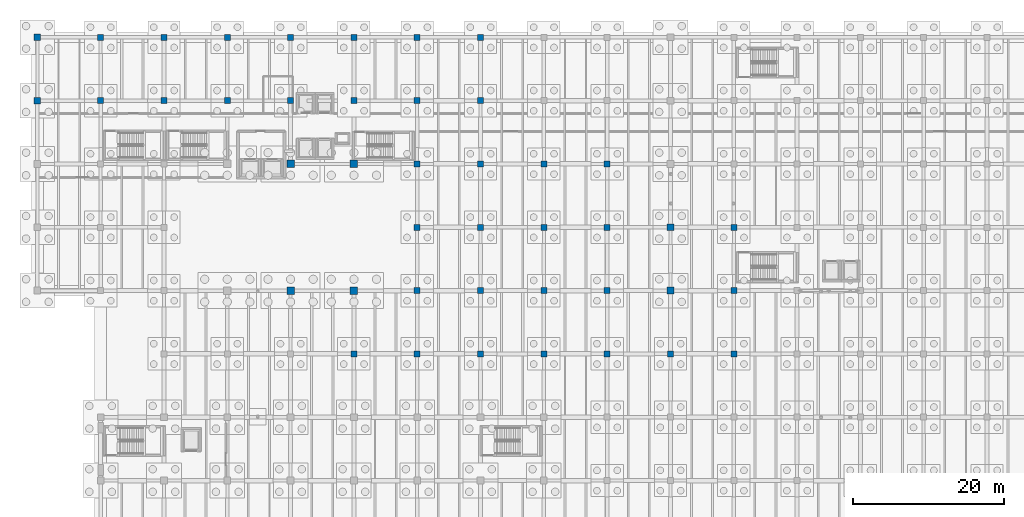
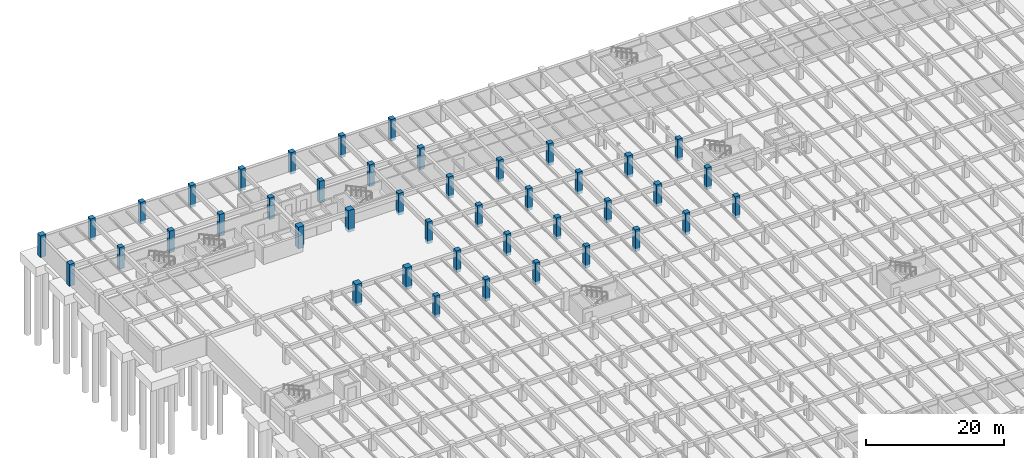
# One storey, part 19 of 70: 43 columns.
"""IFC4 building model written with IfcOpenShell, lengths in metres."""

from ifc_helpers import new_model, si_unit, direction, frame, origin, origin_2d, place, context, subcontext, project, spatial, rectangle, extrude, material, material_profile, profile_set, type_object, element, save


model = new_model("IFC4")

# Units and contexts
model_context = context("Model", 3, precision=1e-05, world=origin(), true_north=direction((0.0, 1.0)))
body_context = subcontext(model_context, "Body", "Model", "MODEL_VIEW")
ifc_project = project(units=[si_unit("LENGTHUNIT", "METRE"), si_unit("AREAUNIT", "SQUARE_METRE"), si_unit("VOLUMEUNIT", "CUBIC_METRE"), si_unit("PLANEANGLEUNIT", "RADIAN"), si_unit("MASSUNIT", "GRAM", prefix="KILO")], contexts=[model_context])

# Site, building, storey
site_placement = place(None, origin())
site = spatial("IfcSite", under=ifc_project, at=site_placement, CompositionType="ELEMENT")
building_placement = place(site_placement, origin())
building = spatial("IfcBuilding", under=site, at=building_placement, Name="Cumbredor Promenade Congress Hotel", CompositionType="ELEMENT")
storey_placement = place(building_placement, frame((0.0, 0.0, -7.56005859375)))
storey = spatial("IfcBuildingStorey", under=building, at=storey_placement, Name="B02", CompositionType="ELEMENT", Elevation=-7.56005859375)

# Columns
ifc_material = material(Name="Concrete C50/60", Category="concrete")
ifc_material_profile_1 = material_profile(ifc_material, rectangle(XDim=1.0, YDim=1.0, at=origin_2d()), Name="RC 1000x1000")
ifc_profile_set_1 = profile_set([ifc_material_profile_1], Name="Concrete C50/60")
column_type_1 = type_object("IfcColumnType", Name="COL-RC-1000", PredefinedType="COLUMN", material=ifc_profile_set_1)
for number, where, z_axis, x_axis, name in (
    (1, (33.60009765625, 84.0, -0.5), (0.0, 0.0, 1.0), (1.0, 0.0, 0.0), "B02 Structural Column 055"),
    (2, (33.60009765625, 100.800048828125, -0.5), (0.0, 0.0, 1.0), (1.0, 0.0, 0.0), "B02 Structural Column 056"),
    (3, (42.0, 84.0, -0.5), (0.0, 0.0, 1.0), (1.0, 0.0, 0.0), "B02 Structural Column 068"),
    (4, (42.0, 100.800048828125, -0.5), (0.0, 0.0, 1.0), (1.0, 0.0, 0.0), "B02 Structural Column 069"),
):
    element("IfcColumn", number, at=place(storey_placement, frame(where, z_axis=z_axis, x_axis=x_axis)), inside=storey, type_object=column_type_1, Name=name, PredefinedType="COLUMN", context=body_context, shape_type="SweptSolid", body=[
        extrude(rectangle(XDim=1.0, YDim=1.0, at=origin_2d()), origin(), (0.0, 0.0, 1.0), 3.860107421875),
    ])
ifc_material_profile_2 = material_profile(ifc_material, rectangle(XDim=0.800048828125, YDim=0.800048828125, at=origin_2d()), Name="RC 800x800")
ifc_profile_set_2 = profile_set([ifc_material_profile_2], Name="Concrete C50/60")
column_type_2 = type_object("IfcColumnType", Name="COL-RC-800", PredefinedType="COLUMN", material=ifc_profile_set_2)
for number, where, z_axis, x_axis, name in (
    (5, (8.39990234375, 109.199951171875, -0.5), (0.0, 0.0, 1.0), (1.0, 0.0, 0.0), "B02 Structural Column 017"),
    (6, (8.39990234375, 117.60009765625, -0.5), (0.0, 0.0, 1.0), (1.0, 0.0, 0.0), "B02 Structural Column 018"),
    (7, (16.800048828125, 109.199951171875, -0.5), (0.0, 0.0, 1.0), (1.0, 0.0, 0.0), "B02 Structural Column 031"),
    (8, (16.800048828125, 117.60009765625, -0.5), (0.0, 0.0, 1.0), (1.0, 0.0, 0.0), "B02 Structural Column 032"),
    (9, (25.199951171875, 109.199951171875, -0.5), (0.0, 0.0, 1.0), (1.0, 0.0, 0.0), "B02 Structural Column 044"),
    (10, (25.199951171875, 117.60009765625, -0.5), (0.0, 0.0, 1.0), (1.0, 0.0, 0.0), "B02 Structural Column 045"),
    (11, (33.60009765625, 109.199951171875, -0.5), (0.0, 0.0, 1.0), (1.0, 0.0, 0.0), "B02 Structural Column 057"),
    (12, (33.60009765625, 117.60009765625, -0.5), (0.0, 0.0, 1.0), (1.0, 0.0, 0.0), "B02 Structural Column 058"),
    (13, (42.0, 75.60009765625, -0.5), (0.0, 0.0, 1.0), (1.0, 0.0, 0.0), "B02 Structural Column 067"),
    (14, (42.0, 109.199951171875, -0.5), (0.0, 0.0, 1.0), (1.0, 0.0, 0.0), "B02 Structural Column 070"),
    (15, (42.0, 117.60009765625, -0.5), (0.0, 0.0, 1.0), (1.0, 0.0, 0.0), "B02 Structural Column 071"),
    (16, (50.39990234375, 75.60009765625, -0.5), (0.0, 0.0, 1.0), (1.0, 0.0, 0.0), "B02 Structural Column 080"),
    (17, (50.39990234375, 84.0, -0.5), (0.0, 0.0, 1.0), (1.0, 0.0, 0.0), "B02 Structural Column 081"),
    (18, (50.39990234375, 92.39990234375, -0.5), (0.0, 0.0, 1.0), (1.0, 0.0, 0.0), "B02 Structural Column 082"),
    (19, (50.39990234375, 100.800048828125, -0.5), (0.0, 0.0, 1.0), (1.0, 0.0, 0.0), "B02 Structural Column 083"),
    (20, (50.39990234375, 109.199951171875, -0.5), (0.0, 0.0, 1.0), (1.0, 0.0, 0.0), "B02 Structural Column 084"),
    (21, (50.39990234375, 117.60009765625, -0.5), (0.0, 0.0, 1.0), (1.0, 0.0, 0.0), "B02 Structural Column 085"),
    (22, (58.800048828125, 75.60009765625, -0.5), (0.0, 0.0, 1.0), (1.0, 0.0, 0.0), "B02 Structural Column 094"),
    (23, (58.800048828125, 84.0, -0.5), (0.0, 0.0, 1.0), (1.0, 0.0, 0.0), "B02 Structural Column 095"),
    (24, (58.800048828125, 92.39990234375, -0.5), (0.0, 0.0, 1.0), (1.0, 0.0, 0.0), "B02 Structural Column 096"),
    (25, (58.800048828125, 100.800048828125, -0.5), (0.0, 0.0, 1.0), (1.0, 0.0, 0.0), "B02 Structural Column 097"),
    (26, (58.800048828125, 109.199951171875, -0.5), (0.0, 0.0, 1.0), (1.0, 0.0, 0.0), "B02 Structural Column 098"),
    (27, (58.800048828125, 117.60009765625, -0.5), (0.0, 0.0, 1.0), (1.0, 0.0, 0.0), "B02 Structural Column 099"),
    (28, (67.199951171875, 75.60009765625, -0.5), (0.0, 0.0, 1.0), (1.0, 0.0, 0.0), "B02 Structural Column 108"),
    (29, (67.199951171875, 84.0, -0.5), (0.0, 0.0, 1.0), (1.0, 0.0, 0.0), "B02 Structural Column 109"),
    (30, (67.199951171875, 92.39990234375, -0.5), (0.0, 0.0, 1.0), (1.0, 0.0, 0.0), "B02 Structural Column 110"),
    (31, (67.199951171875, 100.800048828125, -0.5), (0.0, 0.0, 1.0), (1.0, 0.0, 0.0), "B02 Structural Column 111"),
    (32, (75.60009765625, 75.60009765625, -0.5), (0.0, 0.0, 1.0), (1.0, 0.0, 0.0), "B02 Structural Column 122"),
    (33, (75.60009765625, 84.0, -0.5), (0.0, 0.0, 1.0), (1.0, 0.0, 0.0), "B02 Structural Column 123"),
    (34, (75.60009765625, 92.39990234375, -0.5), (0.0, 0.0, 1.0), (1.0, 0.0, 0.0), "B02 Structural Column 124"),
    (35, (75.60009765625, 100.800048828125, -0.5), (0.0, 0.0, 1.0), (1.0, 0.0, 0.0), "B02 Structural Column 125"),
    (36, (84.0, 75.60009765625, -0.5), (0.0, 0.0, 1.0), (1.0, 0.0, 0.0), "B02 Structural Column 136"),
    (37, (92.39990234375, 75.60009765625, -0.5), (0.0, 0.0, 1.0), (1.0, 0.0, 0.0), "B02 Structural Column 150"),
    (38, (92.39990234375, 84.0, -0.5), (0.0, 0.0, 1.0), (1.0, 0.0, 0.0), "B02 Structural Column 151"),
    (39, (92.39990234375, 92.39990234375, -0.5), (0.0, 0.0, 1.0), (1.0, 0.0, 0.0), "B02 Structural Column 152"),
):
    element("IfcColumn", number, at=place(storey_placement, frame(where, z_axis=z_axis, x_axis=x_axis)), inside=storey, type_object=column_type_2, Name=name, PredefinedType="COLUMN", context=body_context, shape_type="SweptSolid", body=[
        extrude(rectangle(XDim=0.800048828125, YDim=0.800048828125, at=origin_2d()), origin(), (0.0, 0.0, 1.0), 3.860107421875),
    ])
ifc_material_profile_3 = material_profile(ifc_material, rectangle(XDim=0.89990234375, YDim=0.89990234375, at=origin_2d()), Name="RC 900x900")
ifc_profile_set_3 = profile_set([ifc_material_profile_3], Name="Concrete C50/60")
column_type_3 = type_object("IfcColumnType", Name="COL-RC-900", PredefinedType="COLUMN", material=ifc_profile_set_3)
for number, where, z_axis, x_axis, name in (
    (40, (0.0, 109.199951171875, -0.5), (0.0, 0.0, 1.0), (1.0, 0.0, 0.0), "B02 Structural Column 004"),
    (41, (0.0, 117.60009765625, -0.5), (0.0, 0.0, 1.0), (1.0, 0.0, 0.0), "B02 Structural Column 005"),
    (42, (84.0, 84.0, -0.5), (0.0, 0.0, 1.0), (1.0, 0.0, 0.0), "B02 Structural Column 137"),
    (43, (84.0, 92.39990234375, -0.5), (0.0, 0.0, 1.0), (1.0, 0.0, 0.0), "B02 Structural Column 138"),
):
    element("IfcColumn", number, at=place(storey_placement, frame(where, z_axis=z_axis, x_axis=x_axis)), inside=storey, type_object=column_type_3, Name=name, PredefinedType="COLUMN", context=body_context, shape_type="SweptSolid", body=[
        extrude(rectangle(XDim=0.89990234375, YDim=0.89990234375, at=origin_2d()), origin(), (0.0, 0.0, 1.0), 3.860107421875),
    ])

save(model, "model.ifc")
